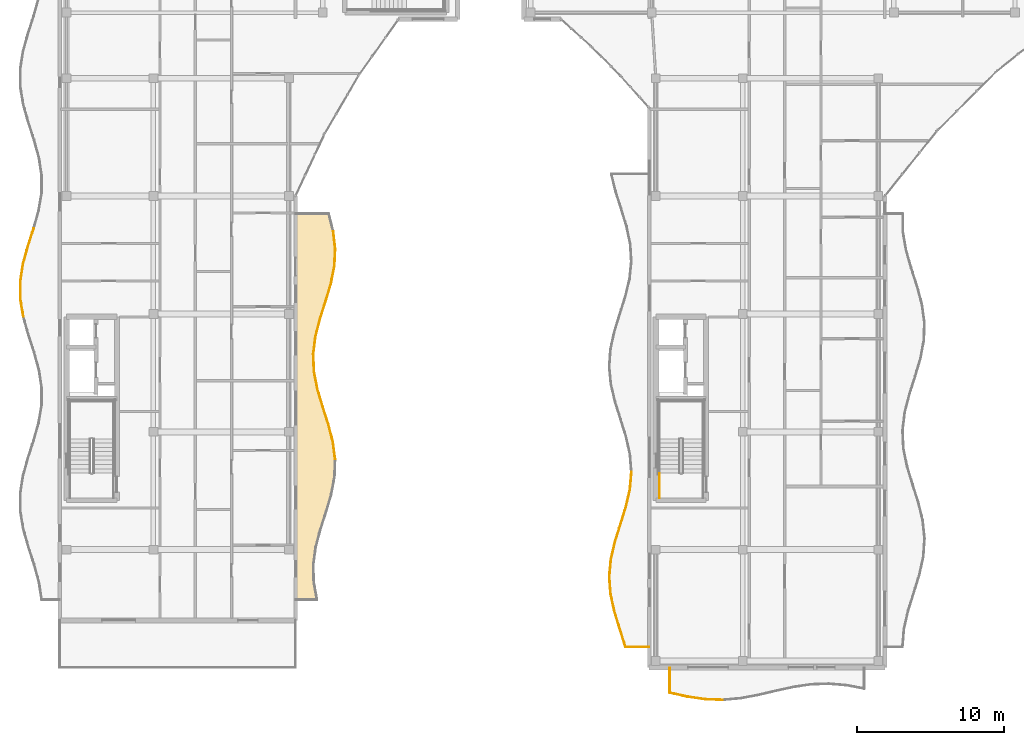
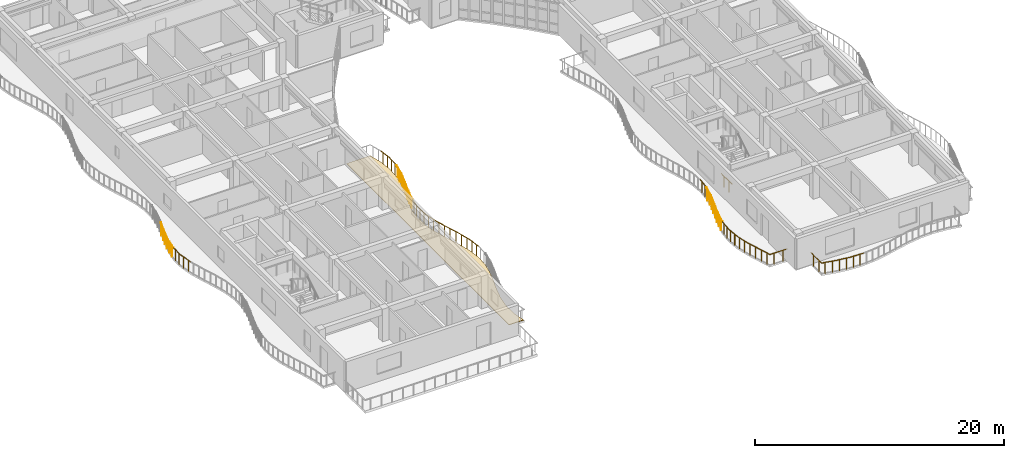
# One storey, part 49 of 72: 34 railings, 1 covering.
"""IFC4 building model written with IfcOpenShell, lengths in metres."""

from ifc_helpers import new_model, si_unit, direction, frame, origin, origin_2d, place, context, subcontext, project, spatial, polyline, circle, outline, extrude, material, layer, layer_set, type_object, element, save


model = new_model("IFC4")

# Units and contexts
model_context = context("Model", 3, precision=1e-05, world=origin(), true_north=direction((0.0, 1.0)))
body_context = subcontext(model_context, "Body", "Model", "MODEL_VIEW")
ifc_project = project(units=[si_unit("LENGTHUNIT", "METRE"), si_unit("AREAUNIT", "SQUARE_METRE"), si_unit("VOLUMEUNIT", "CUBIC_METRE"), si_unit("PLANEANGLEUNIT", "RADIAN"), si_unit("MASSUNIT", "GRAM", prefix="KILO")], contexts=[model_context])

# Site, building, storey
site_placement = place(None, origin())
site = spatial("IfcSite", under=ifc_project, at=site_placement, CompositionType="ELEMENT")
building_placement = place(site_placement, origin())
building = spatial("IfcBuilding", under=site, at=building_placement, Name="Keldmere Railside Commons", CompositionType="ELEMENT")
storey_placement = place(building_placement, frame((0.0, 0.0, 16.9599609375)))
storey = spatial("IfcBuildingStorey", under=building, at=storey_placement, Name="L05", CompositionType="ELEMENT", Elevation=16.9599609375)

# Railings
ifc_material_1 = material(Name="Steel F-24 (S235)", Category="steel")
railing_type_1 = type_object("IfcRailingType", Name="Balcony & Terrace Steel Balustrade 1100", PredefinedType="BALUSTRADE", material=ifc_material_1)
railing_1_placement = place(storey_placement, frame((26.691162109375, 70.127197265625, 0.0)))
element("IfcRailing", 1, at=railing_1_placement, inside=storey, type_object=railing_type_1, Name="GR-1 GRD-L05-0534", PredefinedType="BALUSTRADE", context=body_context, shape_type="SweptSolid", body=[
    extrude(circle(Radius=0.02392578125, at=origin_2d()), frame((0.0, 0.0, 1.076171875), z_axis=(-0.128687319334, 0.991685219131, 0.0), x_axis=(-0.991685219131, -0.128687319334, 0.0)), (0.0, 0.0, 1.0), 1.200927734375),
    extrude(circle(Radius=0.02099609375, at=origin_2d()), frame((-0.03857421875, 0.2978515625, 0.0)), (0.0, 0.0, 1.0), 1.048095703125),
    extrude(circle(Radius=0.02099609375, at=origin_2d()), frame((-0.115966796875, 0.89306640625, 0.0)), (0.0, 0.0, 1.0), 1.048095703125),
])
railing_2_placement = place(storey_placement, frame((26.53662109375, 71.318115234375, 0.0)))
element("IfcRailing", 2, at=railing_2_placement, inside=storey, type_object=railing_type_1, Name="GR-1 GRD-L05-0535", PredefinedType="BALUSTRADE", context=body_context, shape_type="SweptSolid", body=[
    extrude(circle(Radius=0.02392578125, at=origin_2d()), frame((0.0, 0.0, 1.076171875), z_axis=(-0.251581814736, 0.967836034922, 0.0), x_axis=(-0.967836034922, -0.251581814736, 0.0)), (0.0, 0.0, 1.0), 1.23046875),
    extrude(circle(Radius=0.02099609375, at=origin_2d()), frame((-0.077392578125, 0.2978515625, 0.0)), (0.0, 0.0, 1.0), 1.048095703125),
    extrude(circle(Radius=0.02099609375, at=origin_2d()), frame((-0.232177734375, 0.89306640625, 0.0)), (0.0, 0.0, 1.0), 1.048095703125),
])
railing_3_placement = place(storey_placement, frame((26.22705078125, 72.509033203125, 0.0)))
element("IfcRailing", 3, at=railing_3_placement, inside=storey, type_object=railing_type_1, Name="GR-1 GRD-L05-0536", PredefinedType="BALUSTRADE", context=body_context, shape_type="SweptSolid", body=[
    extrude(circle(Radius=0.02392578125, at=origin_2d()), frame((0.0, 0.0, 1.076171875), z_axis=(-0.305844909915, 0.952081346881, 0.0), x_axis=(-0.952081346881, -0.305844909915, 0.0)), (0.0, 0.0, 1.0), 1.2509765625),
    extrude(circle(Radius=0.02099609375, at=origin_2d()), frame((-0.095703125, 0.2978515625, 0.0)), (0.0, 0.0, 1.0), 1.048095703125),
    extrude(circle(Radius=0.02099609375, at=origin_2d()), frame((-0.286865234375, 0.89306640625, 0.0)), (0.0, 0.0, 1.0), 1.048095703125),
])
railing_4_placement = place(storey_placement, frame((25.844482421875, 73.699951171875, 0.0)))
element("IfcRailing", 4, at=railing_4_placement, inside=storey, type_object=railing_type_1, Name="GR-1 GRD-L05-0537", PredefinedType="BALUSTRADE", context=body_context, shape_type="SweptSolid", body=[
    extrude(circle(Radius=0.02392578125, at=origin_2d()), frame((0.0, 0.0, 1.076171875), z_axis=(-0.285472747035, 0.958386827278, 0.0), x_axis=(-0.958386827278, -0.285472747035, 0.0)), (0.0, 0.0, 1.0), 1.24267578125),
    extrude(circle(Radius=0.02099609375, at=origin_2d()), frame((-0.088623046875, 0.2978515625, 0.0)), (0.0, 0.0, 1.0), 1.048095703125),
    extrude(circle(Radius=0.02099609375, at=origin_2d()), frame((-0.26611328125, 0.89306640625, 0.0)), (0.0, 0.0, 1.0), 1.048095703125),
])
railing_5_placement = place(storey_placement, frame((25.48974609375, 74.890869140625, 0.0)))
element("IfcRailing", 5, at=railing_5_placement, inside=storey, type_object=railing_type_1, Name="GR-1 GRD-L05-0538", PredefinedType="BALUSTRADE", context=body_context, shape_type="SweptSolid", body=[
    extrude(circle(Radius=0.02392578125, at=origin_2d()), frame((0.0, 0.0, 1.076171875), z_axis=(-0.192323294325, 0.981331621044, 0.0), x_axis=(-0.981331621044, -0.192323294325, 0.0)), (0.0, 0.0, 1.0), 1.213623046875),
    extrude(circle(Radius=0.02099609375, at=origin_2d()), frame((-0.058349609375, 0.2978515625, 0.0)), (0.0, 0.0, 1.0), 1.048095703125),
    extrude(circle(Radius=0.02099609375, at=origin_2d()), frame((-0.175048828125, 0.89306640625, 0.0)), (0.0, 0.0, 1.0), 1.048095703125),
])
railing_6_placement = place(storey_placement, frame((25.25634765625, 76.081787109375, 0.0)))
element("IfcRailing", 6, at=railing_6_placement, inside=storey, type_object=railing_type_1, Name="GR-1 GRD-L05-0539", PredefinedType="BALUSTRADE", context=body_context, shape_type="SweptSolid", body=[
    extrude(circle(Radius=0.02392578125, at=origin_2d()), frame((0.0, 0.0, 1.076171875), z_axis=(-0.041988358037, 0.999118100021, 0.0), x_axis=(-0.999118100021, -0.041988358037, 0.0)), (0.0, 0.0, 1.0), 1.19189453125),
    extrude(circle(Radius=0.02099609375, at=origin_2d()), frame((-0.012451171875, 0.2978515625, 0.0)), (0.0, 0.0, 1.0), 1.048095703125),
    extrude(circle(Radius=0.02099609375, at=origin_2d()), frame((-0.03759765625, 0.89306640625, 0.0)), (0.0, 0.0, 1.0), 1.048095703125),
])
railing_7_placement = place(storey_placement, frame((25.206298828125, 77.272705078125, 0.0)))
element("IfcRailing", 7, at=railing_7_placement, inside=storey, type_object=railing_type_1, Name="GR-1 GRD-L05-0540", PredefinedType="BALUSTRADE", context=body_context, shape_type="SweptSolid", body=[
    extrude(circle(Radius=0.02392578125, at=origin_2d()), frame((0.0, 0.0, 1.076171875), z_axis=(0.12168029291, 0.992569345848, 0.0), x_axis=(-0.992569345848, 0.12168029291, 0.0)), (0.0, 0.0, 1.0), 1.199951171875),
    extrude(circle(Radius=0.02099609375, at=origin_2d()), frame((0.03662109375, 0.2978515625, 0.0)), (0.0, 0.0, 1.0), 1.048095703125),
    extrude(circle(Radius=0.02099609375, at=origin_2d()), frame((0.109375, 0.89306640625, 0.0)), (0.0, 0.0, 1.0), 1.048095703125),
])
railing_8_placement = place(storey_placement, frame((25.352294921875, 78.463623046875, 0.0)))
element("IfcRailing", 8, at=railing_8_placement, inside=storey, type_object=railing_type_1, Name="GR-1 GRD-L05-0541", PredefinedType="BALUSTRADE", context=body_context, shape_type="SweptSolid", body=[
    extrude(circle(Radius=0.02392578125, at=origin_2d()), frame((0.0, 0.0, 1.076171875), z_axis=(0.247486397032, 0.968891368154, 0.0), x_axis=(-0.968891368154, 0.247486397032, 0.0)), (0.0, 0.0, 1.0), 1.229248046875),
    extrude(circle(Radius=0.02099609375, at=origin_2d()), frame((0.076171875, 0.2978515625, 0.0)), (0.0, 0.0, 1.0), 1.048095703125),
    extrude(circle(Radius=0.02099609375, at=origin_2d()), frame((0.22802734375, 0.89306640625, 0.0)), (0.0, 0.0, 1.0), 1.048095703125),
])
railing_9_placement = place(storey_placement, frame((25.656494140625, 79.654541015625, 0.0)))
element("IfcRailing", 9, at=railing_9_placement, inside=storey, type_object=railing_type_1, Name="GR-1 GRD-L05-0542", PredefinedType="BALUSTRADE", context=body_context, shape_type="SweptSolid", body=[
    extrude(circle(Radius=0.02392578125, at=origin_2d()), frame((0.0, 0.0, 1.076171875), z_axis=(0.304959907081, 0.952365189974, 0.0), x_axis=(-0.952365189974, 0.304959907081, 0.0)), (0.0, 0.0, 1.0), 1.25048828125),
    extrude(circle(Radius=0.02099609375, at=origin_2d()), frame((0.09521484375, 0.2978515625, 0.0)), (0.0, 0.0, 1.0), 1.048095703125),
    extrude(circle(Radius=0.02099609375, at=origin_2d()), frame((0.2861328125, 0.89306640625, 0.0)), (0.0, 0.0, 1.0), 1.048095703125),
])
railing_10_placement = place(storey_placement, frame((26.037841796875, 80.845458984375, 0.0)))
element("IfcRailing", 10, at=railing_10_placement, inside=storey, type_object=railing_type_1, Name="GR-1 GRD-L05-0543", PredefinedType="BALUSTRADE", context=body_context, shape_type="SweptSolid", body=[
    extrude(circle(Radius=0.02392578125, at=origin_2d()), frame((0.0, 0.0, 1.076171875), z_axis=(0.287996204272, 0.957631550402, 0.0), x_axis=(-0.957631550402, 0.287996204272, 0.0)), (0.0, 0.0, 1.0), 1.24365234375),
    extrude(circle(Radius=0.02099609375, at=origin_2d()), frame((0.089599609375, 0.2978515625, 0.0)), (0.0, 0.0, 1.0), 1.048095703125),
    extrude(circle(Radius=0.02099609375, at=origin_2d()), frame((0.2685546875, 0.89306640625, 0.0)), (0.0, 0.0, 1.0), 1.048095703125),
])
railing_11_placement = place(storey_placement, frame((26.39599609375, 82.036376953125, 0.0)))
element("IfcRailing", 11, at=railing_11_placement, inside=storey, type_object=railing_type_1, Name="GR-1 GRD-L05-0544", PredefinedType="BALUSTRADE", context=body_context, shape_type="SweptSolid", body=[
    extrude(circle(Radius=0.02392578125, at=origin_2d()), frame((0.0, 0.0, 1.076171875), z_axis=(0.198125105792, 0.980176740417, 0.0), x_axis=(-0.980176740417, 0.198125105792, 0.0)), (0.0, 0.0, 1.0), 1.215087890625),
    extrude(circle(Radius=0.02099609375, at=origin_2d()), frame((0.06005859375, 0.2978515625, 0.0)), (0.0, 0.0, 1.0), 1.048095703125),
    extrude(circle(Radius=0.02099609375, at=origin_2d()), frame((0.1806640625, 0.89306640625, 0.0)), (0.0, 0.0, 1.0), 1.048095703125),
])
railing_12_placement = place(storey_placement, frame((26.63671875, 83.227294921875, 0.0)))
element("IfcRailing", 12, at=railing_12_placement, inside=storey, type_object=railing_type_1, Name="GR-1 GRD-L05-0545", PredefinedType="BALUSTRADE", context=body_context, shape_type="SweptSolid", body=[
    extrude(circle(Radius=0.02392578125, at=origin_2d()), frame((0.0, 0.0, 1.076171875), z_axis=(0.049549557859, 0.998771666256, 0.0), x_axis=(-0.998771666256, 0.049549557859, 0.0)), (0.0, 0.0, 1.0), 1.1923828125),
    extrude(circle(Radius=0.02099609375, at=origin_2d()), frame((0.0146484375, 0.2978515625, 0.0)), (0.0, 0.0, 1.0), 1.048095703125),
    extrude(circle(Radius=0.02099609375, at=origin_2d()), frame((0.04443359375, 0.89306640625, 0.0)), (0.0, 0.0, 1.0), 1.048095703125),
])
railing_13_placement = place(storey_placement, frame((26.69580078125, 84.418212890625, 0.0)))
element("IfcRailing", 13, at=railing_13_placement, inside=storey, type_object=railing_type_1, Name="GR-1 GRD-L05-0546", PredefinedType="BALUSTRADE", context=body_context, shape_type="SweptSolid", body=[
    extrude(circle(Radius=0.02392578125, at=origin_2d()), frame((0.0, 0.0, 1.076171875), z_axis=(-0.11485599303, 0.99338215248, 0.0), x_axis=(-0.99338215248, -0.11485599303, 0.0)), (0.0, 0.0, 1.0), 1.19873046875),
    extrude(circle(Radius=0.02099609375, at=origin_2d()), frame((-0.034423828125, 0.2978515625, 0.0)), (0.0, 0.0, 1.0), 1.048095703125),
    extrude(circle(Radius=0.02099609375, at=origin_2d()), frame((-0.103271484375, 0.89306640625, 0.0)), (0.0, 0.0, 1.0), 1.048095703125),
])
railing_14_placement = place(storey_placement, frame((5.53271484375, 79.800048828125, 0.0)))
element("IfcRailing", 14, at=railing_14_placement, inside=storey, type_object=railing_type_1, Name="GR-1 GRD-L05-0566", PredefinedType="BALUSTRADE", context=body_context, shape_type="SweptSolid", body=[
    extrude(circle(Radius=0.02392578125, at=origin_2d()), frame((0.0, 0.0, 1.076171875), z_axis=(-0.166123084614, 0.986105025217, 0.0), x_axis=(-0.986105025217, -0.166123084614, 0.0)), (0.0, 0.0, 1.0), 1.216796875),
    extrude(circle(Radius=0.02099609375, at=origin_2d()), frame((-0.050537109375, 0.300048828125, 0.0)), (0.0, 0.0, 1.0), 1.048095703125),
    extrude(circle(Radius=0.02099609375, at=origin_2d()), frame((-0.151611328125, 0.89990234375, 0.0)), (0.0, 0.0, 1.0), 1.048095703125),
])
railing_15_placement = place(storey_placement, frame((5.33056640625, 81.0, 0.0)))
element("IfcRailing", 15, at=railing_15_placement, inside=storey, type_object=railing_type_1, Name="GR-1 GRD-L05-0567", PredefinedType="BALUSTRADE", context=body_context, shape_type="SweptSolid", body=[
    extrude(circle(Radius=0.02392578125, at=origin_2d()), frame((0.0, 0.0, 1.076171875), z_axis=(-0.007934643395, 0.999968520222, 0.0), x_axis=(-0.999968520222, -0.007934643395, 0.0)), (0.0, 0.0, 1.0), 1.199951171875),
    extrude(circle(Radius=0.02099609375, at=origin_2d()), frame((-0.00244140625, 0.300048828125, 0.0)), (0.0, 0.0, 1.0), 1.048095703125),
    extrude(circle(Radius=0.02099609375, at=origin_2d()), frame((-0.007080078125, 0.89990234375, 0.0)), (0.0, 0.0, 1.0), 1.048095703125),
])
railing_16_placement = place(storey_placement, frame((5.321044921875, 82.199951171875, 0.0)))
element("IfcRailing", 16, at=railing_16_placement, inside=storey, type_object=railing_type_1, Name="GR-1 GRD-L05-0568", PredefinedType="BALUSTRADE", context=body_context, shape_type="SweptSolid", body=[
    extrude(circle(Radius=0.02392578125, at=origin_2d()), frame((0.0, 0.0, 1.076171875), z_axis=(0.153205313782, 0.988194379578, 0.0), x_axis=(-0.988194379578, 0.153205313782, 0.0)), (0.0, 0.0, 1.0), 1.21435546875),
    extrude(circle(Radius=0.02099609375, at=origin_2d()), frame((0.04638671875, 0.300048828125, 0.0)), (0.0, 0.0, 1.0), 1.048095703125),
    extrude(circle(Radius=0.02099609375, at=origin_2d()), frame((0.1396484375, 0.89990234375, 0.0)), (0.0, 0.0, 1.0), 1.048095703125),
])
railing_17_placement = place(storey_placement, frame((5.507080078125, 83.39990234375, 0.0)))
element("IfcRailing", 17, at=railing_17_placement, inside=storey, type_object=railing_type_1, Name="GR-1 GRD-L05-0569", PredefinedType="BALUSTRADE", context=body_context, shape_type="SweptSolid", body=[
    extrude(circle(Radius=0.02392578125, at=origin_2d()), frame((0.0, 0.0, 1.076171875), z_axis=(0.266086078516, 0.963949271912, 0.0), x_axis=(-0.963949271912, 0.266086078516, 0.0)), (0.0, 0.0, 1.0), 1.2451171875),
    extrude(circle(Radius=0.02099609375, at=origin_2d()), frame((0.082763671875, 0.300048828125, 0.0)), (0.0, 0.0, 1.0), 1.048095703125),
    extrude(circle(Radius=0.02099609375, at=origin_2d()), frame((0.24853515625, 0.900146484375, 0.0)), (0.0, 0.0, 1.0), 1.048095703125),
])
railing_18_placement = place(storey_placement, frame((5.83837890625, 84.60009765625, 0.0)))
element("IfcRailing", 18, at=railing_18_placement, inside=storey, type_object=railing_type_1, Name="GR-1 GRD-L05-0570", PredefinedType="BALUSTRADE", context=body_context, shape_type="SweptSolid", body=[
    extrude(circle(Radius=0.02392578125, at=origin_2d()), frame((0.0, 0.0, 1.076171875), z_axis=(0.307794514865, 0.9514528557, 0.0), x_axis=(-0.9514528557, 0.307794514865, 0.0)), (0.0, 0.0, 1.0), 1.26123046875),
    extrude(circle(Radius=0.02099609375, at=origin_2d()), frame((0.09716796875, 0.300048828125, 0.0)), (0.0, 0.0, 1.0), 1.048095703125),
    extrude(circle(Radius=0.02099609375, at=origin_2d()), frame((0.291015625, 0.89990234375, 0.0)), (0.0, 0.0, 1.0), 1.048095703125),
])
railing_19_placement = place(storey_placement, frame((48.0, 57.39990234375, 0.0)))
element("IfcRailing", 19, at=railing_19_placement, inside=storey, type_object=railing_type_1, Name="GR-1 GRD-L05-1367", PredefinedType="BALUSTRADE", context=body_context, shape_type="SweptSolid", body=[
    extrude(circle(Radius=0.02392578125, at=origin_2d()), frame((0.0, 0.0, 1.076171875), z_axis=(-1.0, 0.0, 0.0), x_axis=(0.0, -1.0, 0.0)), (0.0, 0.0, 1.0), 1.6015625),
    extrude(circle(Radius=0.02099609375, at=origin_2d()), frame((-0.400390625, 0.0, 0.0)), (0.0, 0.0, 1.0), 1.048095703125),
    extrude(circle(Radius=0.02099609375, at=origin_2d()), frame((-1.201171875, 0.0, 0.0)), (0.0, 0.0, 1.0), 1.048095703125),
])
railing_20_placement = place(storey_placement, frame((46.3984375, 57.39990234375, 0.0)))
element("IfcRailing", 20, at=railing_20_placement, inside=storey, type_object=railing_type_1, Name="GR-1 GRD-L05-1368", PredefinedType="BALUSTRADE", context=body_context, shape_type="SweptSolid", body=[
    extrude(circle(Radius=0.02392578125, at=origin_2d()), frame((0.0, 0.0, 1.076171875), z_axis=(-0.300972045931, 0.95363296271, 0.0), x_axis=(-0.95363296271, -0.300972045931, 0.0)), (0.0, 0.0, 1.0), 1.246826171875),
    extrude(circle(Radius=0.02099609375, at=origin_2d()), frame((-0.09375, 0.29736328125, 0.0)), (0.0, 0.0, 1.0), 1.048095703125),
    extrude(circle(Radius=0.02099609375, at=origin_2d()), frame((-0.281494140625, 0.8916015625, 0.0)), (0.0, 0.0, 1.0), 1.048095703125),
])
railing_21_placement = place(storey_placement, frame((46.023193359375, 58.5888671875, 0.0)))
element("IfcRailing", 21, at=railing_21_placement, inside=storey, type_object=railing_type_1, Name="GR-1 GRD-L05-1369", PredefinedType="BALUSTRADE", context=body_context, shape_type="SweptSolid", body=[
    extrude(circle(Radius=0.02392578125, at=origin_2d()), frame((0.0, 0.0, 1.076171875), z_axis=(-0.295615532493, 0.955306996179, 0.0), x_axis=(-0.955306996179, -0.295615532493, 0.0)), (0.0, 0.0, 1.0), 1.24462890625),
    extrude(circle(Radius=0.02099609375, at=origin_2d()), frame((-0.092041015625, 0.29736328125, 0.0)), (0.0, 0.0, 1.0), 1.048095703125),
    extrude(circle(Radius=0.02099609375, at=origin_2d()), frame((-0.27587890625, 0.8916015625, 0.0)), (0.0, 0.0, 1.0), 1.048095703125),
])
railing_22_placement = place(storey_placement, frame((45.6552734375, 59.77783203125, 0.0)))
element("IfcRailing", 22, at=railing_22_placement, inside=storey, type_object=railing_type_1, Name="GR-1 GRD-L05-1370", PredefinedType="BALUSTRADE", context=body_context, shape_type="SweptSolid", body=[
    extrude(circle(Radius=0.02392578125, at=origin_2d()), frame((0.0, 0.0, 1.076171875), z_axis=(-0.216888009161, 0.97619649225, 0.0), x_axis=(-0.97619649225, -0.216888009161, 0.0)), (0.0, 0.0, 1.0), 1.218017578125),
    extrude(circle(Radius=0.02099609375, at=origin_2d()), frame((-0.06591796875, 0.29736328125, 0.0)), (0.0, 0.0, 1.0), 1.048095703125),
    extrude(circle(Radius=0.02099609375, at=origin_2d()), frame((-0.1982421875, 0.8916015625, 0.0)), (0.0, 0.0, 1.0), 1.048095703125),
])
railing_23_placement = place(storey_placement, frame((45.39111328125, 60.966796875, 0.0)))
element("IfcRailing", 23, at=railing_23_placement, inside=storey, type_object=railing_type_1, Name="GR-1 GRD-L05-1371", PredefinedType="BALUSTRADE", context=body_context, shape_type="SweptSolid", body=[
    extrude(circle(Radius=0.02392578125, at=origin_2d()), frame((0.0, 0.0, 1.076171875), z_axis=(-0.076179709717, 0.997094103797, 0.0), x_axis=(-0.997094103797, -0.076179709717, 0.0)), (0.0, 0.0, 1.0), 1.192138671875),
    extrude(circle(Radius=0.02099609375, at=origin_2d()), frame((-0.022705078125, 0.297119140625, 0.0)), (0.0, 0.0, 1.0), 1.048095703125),
    extrude(circle(Radius=0.02099609375, at=origin_2d()), frame((-0.068115234375, 0.8916015625, 0.0)), (0.0, 0.0, 1.0), 1.048095703125),
])
railing_24_placement = place(storey_placement, frame((45.30029296875, 62.155517578125, 0.0)))
element("IfcRailing", 24, at=railing_24_placement, inside=storey, type_object=railing_type_1, Name="GR-1 GRD-L05-1372", PredefinedType="BALUSTRADE", context=body_context, shape_type="SweptSolid", body=[
    extrude(circle(Radius=0.02392578125, at=origin_2d()), frame((0.0, 0.0, 1.076171875), z_axis=(0.088968171303, 0.996034469532, 0.0), x_axis=(-0.996034469532, 0.088968171303, 0.0)), (0.0, 0.0, 1.0), 1.193603515625),
    extrude(circle(Radius=0.02099609375, at=origin_2d()), frame((0.026611328125, 0.29736328125, 0.0)), (0.0, 0.0, 1.0), 1.048095703125),
    extrude(circle(Radius=0.02099609375, at=origin_2d()), frame((0.07958984375, 0.8916015625, 0.0)), (0.0, 0.0, 1.0), 1.048095703125),
])
railing_25_placement = place(storey_placement, frame((45.406494140625, 63.344482421875, 0.0)))
element("IfcRailing", 25, at=railing_25_placement, inside=storey, type_object=railing_type_1, Name="GR-1 GRD-L05-1373", PredefinedType="BALUSTRADE", context=body_context, shape_type="SweptSolid", body=[
    extrude(circle(Radius=0.02392578125, at=origin_2d()), frame((0.0, 0.0, 1.076171875), z_axis=(0.226072078748, 0.97411057648, 0.0), x_axis=(-0.97411057648, 0.226072078748, 0.0)), (0.0, 0.0, 1.0), 1.22021484375),
    extrude(circle(Radius=0.02099609375, at=origin_2d()), frame((0.06884765625, 0.297119140625, 0.0)), (0.0, 0.0, 1.0), 1.048095703125),
    extrude(circle(Radius=0.02099609375, at=origin_2d()), frame((0.20703125, 0.8916015625, 0.0)), (0.0, 0.0, 1.0), 1.048095703125),
])
railing_26_placement = place(storey_placement, frame((45.682373046875, 64.533203125, 0.0)))
element("IfcRailing", 26, at=railing_26_placement, inside=storey, type_object=railing_type_1, Name="GR-1 GRD-L05-1374", PredefinedType="BALUSTRADE", context=body_context, shape_type="SweptSolid", body=[
    extrude(circle(Radius=0.02392578125, at=origin_2d()), frame((0.0, 0.0, 1.076171875), z_axis=(0.299011265095, 0.954249581266, 0.0), x_axis=(-0.954249581266, 0.299011265095, 0.0)), (0.0, 0.0, 1.0), 1.245849609375),
    extrude(circle(Radius=0.02099609375, at=origin_2d()), frame((0.09326171875, 0.29736328125, 0.0)), (0.0, 0.0, 1.0), 1.048095703125),
    extrude(circle(Radius=0.02099609375, at=origin_2d()), frame((0.279296875, 0.8916015625, 0.0)), (0.0, 0.0, 1.0), 1.048095703125),
])
railing_27_placement = place(storey_placement, frame((46.054931640625, 65.72216796875, 0.0)))
element("IfcRailing", 27, at=railing_27_placement, inside=storey, type_object=railing_type_1, Name="GR-1 GRD-L05-1375", PredefinedType="BALUSTRADE", context=body_context, shape_type="SweptSolid", body=[
    extrude(circle(Radius=0.02392578125, at=origin_2d()), frame((0.0, 0.0, 1.076171875), z_axis=(0.297940147871, 0.954584552717, 0.0), x_axis=(-0.954584552717, 0.297940147871, 0.0)), (0.0, 0.0, 1.0), 1.24560546875),
    extrude(circle(Radius=0.02099609375, at=origin_2d()), frame((0.0927734375, 0.29736328125, 0.0)), (0.0, 0.0, 1.0), 1.048095703125),
    extrude(circle(Radius=0.02099609375, at=origin_2d()), frame((0.2783203125, 0.8916015625, 0.0)), (0.0, 0.0, 1.0), 1.048095703125),
])
railing_28_placement = place(storey_placement, frame((46.426025390625, 66.9111328125, 0.0)))
element("IfcRailing", 28, at=railing_28_placement, inside=storey, type_object=railing_type_1, Name="GR-1 GRD-L05-1376", PredefinedType="BALUSTRADE", context=body_context, shape_type="SweptSolid", body=[
    extrude(circle(Radius=0.02392578125, at=origin_2d()), frame((0.0, 0.0, 1.076171875), z_axis=(0.223178055527, 0.974777695442, 0.0), x_axis=(-0.974777695442, 0.223178055527, 0.0)), (0.0, 0.0, 1.0), 1.2197265625),
    extrude(circle(Radius=0.02099609375, at=origin_2d()), frame((0.068115234375, 0.29736328125, 0.0)), (0.0, 0.0, 1.0), 1.048095703125),
    extrude(circle(Radius=0.02099609375, at=origin_2d()), frame((0.2041015625, 0.8916015625, 0.0)), (0.0, 0.0, 1.0), 1.048095703125),
])
railing_29_placement = place(storey_placement, frame((46.6982421875, 68.10009765625, 0.0)))
element("IfcRailing", 29, at=railing_29_placement, inside=storey, type_object=railing_type_1, Name="GR-1 GRD-L05-1377", PredefinedType="BALUSTRADE", context=body_context, shape_type="SweptSolid", body=[
    extrude(circle(Radius=0.02392578125, at=origin_2d()), frame((0.0, 0.0, 1.076171875), z_axis=(0.085331493335, 0.996352616419, 0.0), x_axis=(-0.996352616419, 0.085331493335, 0.0)), (0.0, 0.0, 1.0), 1.193115234375),
    extrude(circle(Radius=0.02099609375, at=origin_2d()), frame((0.025390625, 0.297119140625, 0.0)), (0.0, 0.0, 1.0), 1.048095703125),
    extrude(circle(Radius=0.02099609375, at=origin_2d()), frame((0.076416015625, 0.8916015625, 0.0)), (0.0, 0.0, 1.0), 1.048095703125),
])
railing_30_placement = place(storey_placement, frame((49.39990234375, 56.0, 0.0)))
element("IfcRailing", 30, at=railing_30_placement, inside=storey, type_object=railing_type_1, Name="GR-1 GRD-L05-1422", PredefinedType="BALUSTRADE", context=body_context, shape_type="SweptSolid", body=[
    extrude(circle(Radius=0.02392578125, at=origin_2d()), frame((0.0, 0.0, 1.076171875), z_axis=(0.0, -1.0, 0.0), x_axis=(1.0, 0.0, 0.0)), (0.0, 0.0, 1.0), 1.714111328125),
    extrude(circle(Radius=0.02099609375, at=origin_2d()), frame((0.0, -0.428466796875, 0.0)), (0.0, 0.0, 1.0), 1.048095703125),
    extrude(circle(Radius=0.02099609375, at=origin_2d()), frame((0.0, -1.28564453125, 0.0)), (0.0, 0.0, 1.0), 1.048095703125),
])
railing_31_placement = place(storey_placement, frame((49.39990234375, 54.285888671875, 0.0)))
element("IfcRailing", 31, at=railing_31_placement, inside=storey, type_object=railing_type_1, Name="GR-1 GRD-L05-1423", PredefinedType="BALUSTRADE", context=body_context, shape_type="SweptSolid", body=[
    extrude(circle(Radius=0.02392578125, at=origin_2d()), frame((0.0, 0.0, 1.076171875), z_axis=(0.976582730792, -0.215142208594, 0.0), x_axis=(0.215142208594, 0.976582730792, 0.0)), (0.0, 0.0, 1.0), 1.22900390625),
    extrude(circle(Radius=0.02099609375, at=origin_2d()), frame((0.300048828125, -0.066162109375, 0.0)), (0.0, 0.0, 1.0), 1.048095703125),
    extrude(circle(Radius=0.02099609375, at=origin_2d()), frame((0.900146484375, -0.1982421875, 0.0)), (0.0, 0.0, 1.0), 1.048095703125),
])
railing_32_placement = place(storey_placement, frame((50.60009765625, 54.021484375, 0.0)))
element("IfcRailing", 32, at=railing_32_placement, inside=storey, type_object=railing_type_1, Name="GR-1 GRD-L05-1424", PredefinedType="BALUSTRADE", context=body_context, shape_type="SweptSolid", body=[
    extrude(circle(Radius=0.02392578125, at=origin_2d()), frame((0.0, 0.0, 1.076171875), z_axis=(0.989353169045, -0.145534555691, 0.0), x_axis=(0.145534555691, 0.989353169045, 0.0)), (0.0, 0.0, 1.0), 1.212890625),
    extrude(circle(Radius=0.02099609375, at=origin_2d()), frame((0.300048828125, -0.044189453125, 0.0)), (0.0, 0.0, 1.0), 1.048095703125),
    extrude(circle(Radius=0.02099609375, at=origin_2d()), frame((0.89990234375, -0.13232421875, 0.0)), (0.0, 0.0, 1.0), 1.048095703125),
])
railing_33_placement = place(storey_placement, frame((51.800048828125, 53.844970703125, 0.0)))
element("IfcRailing", 33, at=railing_33_placement, inside=storey, type_object=railing_type_1, Name="GR-1 GRD-L05-1425", PredefinedType="BALUSTRADE", context=body_context, shape_type="SweptSolid", body=[
    extrude(circle(Radius=0.02392578125, at=origin_2d()), frame((0.0, 0.0, 1.076171875), z_axis=(0.999409375472, -0.03436422878, 0.0), x_axis=(0.03436422878, 0.999409375472, 0.0)), (0.0, 0.0, 1.0), 1.20068359375),
    extrude(circle(Radius=0.02099609375, at=origin_2d()), frame((0.300048828125, -0.01025390625, 0.0)), (0.0, 0.0, 1.0), 1.048095703125),
    extrude(circle(Radius=0.02099609375, at=origin_2d()), frame((0.89990234375, -0.031005859375, 0.0)), (0.0, 0.0, 1.0), 1.048095703125),
])
railing_type_2 = type_object("IfcRailingType", Name="Stair Well Steel Guardrail 1100", PredefinedType="BALUSTRADE", material=ifc_material_1)
railing_34_placement = place(storey_placement, frame((48.699951171875, 67.5, 0.0)))
element("IfcRailing", 34, at=railing_34_placement, inside=storey, type_object=railing_type_2, Name="L05 ST-C1 stair guard 9", PredefinedType="BALUSTRADE", context=body_context, shape_type="SweptSolid", body=[
    extrude(circle(Radius=0.02392578125, at=origin_2d()), frame((0.0, 0.0, 1.076171875), z_axis=(0.0, 1.0, 0.0), x_axis=(-1.0, 0.0, 0.0)), (0.0, 0.0, 1.0), 1.699951171875),
    extrude(circle(Radius=0.02099609375, at=origin_2d()), frame((0.0, 0.425048828125, 0.0)), (0.0, 0.0, 1.0), 1.048095703125),
    extrude(circle(Radius=0.02099609375, at=origin_2d()), frame((0.0, 1.27490234375, 0.0)), (0.0, 0.0, 1.0), 1.048095703125),
])

# Covering
ifc_material_2 = material(Name="White Precast Concrete C35/45", Category="concrete")
ifc_layer = layer(ifc_material_2, 0.044921875, Name="White Architectural Balcony Ribbon Cladding 45")
ifc_layer_set = layer_set([ifc_layer], Name="White Precast Concrete C35/45")
covering_type = type_object("IfcCoveringType", Name="White Architectural Balcony Ribbon Cladding 45", PredefinedType="FLOORING", material=ifc_layer_set)
covering_placement = place(storey_placement, origin())
element("IfcCovering", 35, at=covering_placement, inside=storey, type_object=covering_type, Name="CLG-WB D L05 CE White Balcony Ribbon", PredefinedType="FLOORING", context=body_context, shape_type="SweptSolid", body=[
    extrude(outline(polyline([(25.204345703125, 61.78369140625), (25.203857421875, 61.78662109375), (25.20361328125, 61.789794921875), (25.171630859375, 62.980712890625), (25.171875, 62.98388671875), (25.172119140625, 62.9873046875), (25.335205078125, 64.177978515625), (25.3359375, 64.182861328125), (25.65087890625, 65.373779296875), (25.6513671875, 65.3759765625), (26.034912109375, 66.56640625), (26.385498046875, 67.7548828125), (26.6103515625, 68.94091796875), (26.651123046875, 70.12548828125), (26.497314453125, 71.310546875), (26.188720703125, 72.497802734375), (25.806396484375, 73.687744140625), (25.80615234375, 73.688720703125), (25.451416015625, 74.87939453125), (25.450439453125, 74.88330078125), (25.217041015625, 76.07421875), (25.216796875, 76.0771484375), (25.21630859375, 76.080078125), (25.166259765625, 77.27099609375), (25.166259765625, 77.2744140625), (25.16650390625, 77.277587890625), (25.312744140625, 78.468505859375), (25.313720703125, 78.473388671875), (25.61767578125, 79.664306640625), (25.618408203125, 79.666748046875), (25.99951171875, 80.857421875), (26.357421875, 82.046142578125), (26.5966796875, 83.232421875), (26.65576171875, 84.4169921875), (26.518798828125, 85.601806640625), (26.228759765625, 86.760009765625), (24.0400390625, 86.760009765625), (24.0400390625, 60.639892578125), (25.4140625, 60.639892578125), (25.204345703125, 61.78369140625)])), origin(), (0.0, 0.0, 1.0), 0.044921875),
])

save(model, "model.ifc")
